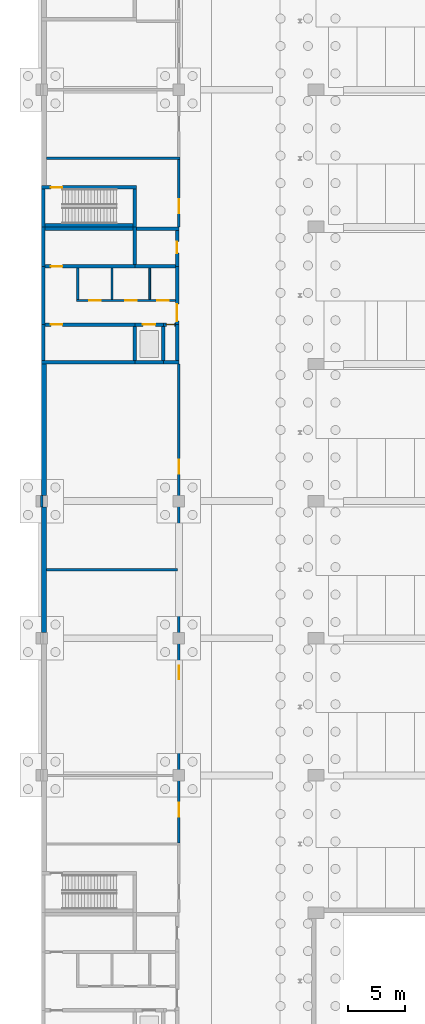
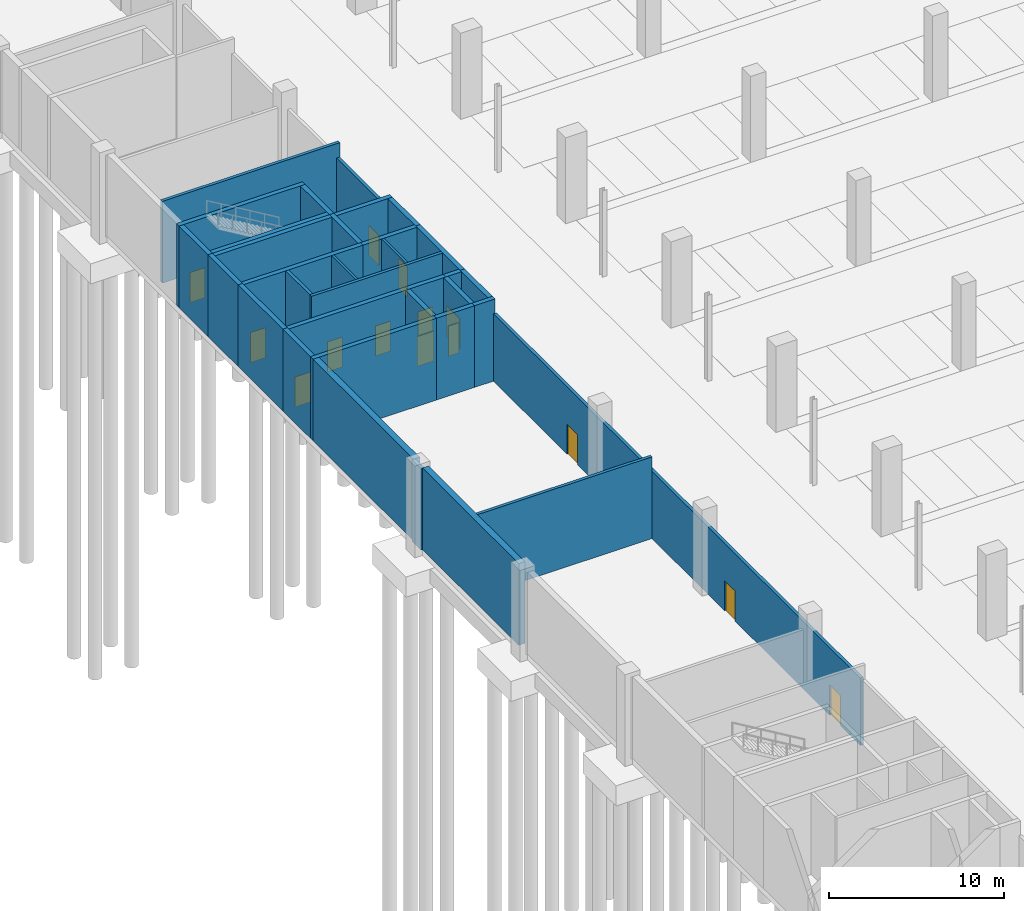
# One storey, part 19 of 34: 34 walls, 14 doors, 14 openings.
"""IFC4 building model written with IfcOpenShell, lengths in metres."""

from ifc_helpers import new_model, si_unit, direction, frame, frame_2d, origin, place, context, subcontext, project, spatial, rectangle, extrude, material, layer, layer_set, type_object, element, fill, save


model = new_model("IFC4")

# Units and contexts
model_context = context("Model", 3, precision=1e-05, world=origin(), true_north=direction((0.0, 1.0)))
body_context = subcontext(model_context, "Body", "Model", "MODEL_VIEW")
ifc_project = project(units=[si_unit("LENGTHUNIT", "METRE"), si_unit("AREAUNIT", "SQUARE_METRE"), si_unit("VOLUMEUNIT", "CUBIC_METRE"), si_unit("PLANEANGLEUNIT", "RADIAN"), si_unit("MASSUNIT", "GRAM", prefix="KILO")], contexts=[model_context])

# Site, building, storey
site_placement = place(None, origin())
site = spatial("IfcSite", under=ifc_project, at=site_placement, CompositionType="ELEMENT")
building_placement = place(site_placement, origin())
building = spatial("IfcBuilding", under=site, at=building_placement, Name="Lilac Gate Convention Centre", CompositionType="ELEMENT")
storey_placement = place(building_placement, frame((0.0, 0.0, -6.0)))
storey = spatial("IfcBuildingStorey", under=building, at=storey_placement, Name="B1", CompositionType="ELEMENT", Elevation=-6.0)

# Walls
ifc_material_1 = material(Name="Concrete C35", Category="concrete")
ifc_layer_1 = layer(ifc_material_1, 0.39990234375)
ifc_layer_set_1 = layer_set([ifc_layer_1], Name="Concrete C35")
wall_type_1 = type_object("IfcWallType", Name="Basement wall 400 C35", PredefinedType="SOLIDWALL", material=ifc_layer_set_1)
wall_1_placement = place(storey_placement, frame((6.199951171875, 126.5, 0.0), z_axis=(0.0, 0.0, 1.0), x_axis=(0.0, 1.0, 0.0)))
element("IfcWall", 1, at=wall_1_placement, inside=storey, type_object=wall_type_1, Name="SW2 basement wall 10 at 1/A", PredefinedType="SOLIDWALL", context=body_context, shape_type="SweptSolid", body=[
    extrude(rectangle(XDim=11.0, YDim=0.39990234375, at=frame_2d((5.5, 0.0))), origin(), (0.0, 0.0, 1.0), 5.699951171875),
])
wall_2_placement = place(storey_placement, frame((6.199951171875, 138.5, 0.0), z_axis=(0.0, 0.0, 1.0), x_axis=(0.0, 1.0, 0.0)))
element("IfcWall", 2, at=wall_2_placement, inside=storey, type_object=wall_type_1, Name="SW2 basement wall 11 at 1/A", PredefinedType="SOLIDWALL", context=body_context, shape_type="SweptSolid", body=[
    extrude(rectangle(XDim=11.5, YDim=0.39990234375, at=frame_2d((5.75, 0.0))), origin(), (0.0, 0.0, 1.0), 5.699951171875),
])
ifc_material_2 = material(Name="Fire-rated gypsum board on steel stud", Category="steel")
ifc_layer_2 = layer(ifc_material_2, 0.14990234375)
ifc_layer_set_2 = layer_set([ifc_layer_2], Name="Fire-rated gypsum board on steel stud")
wall_type_2 = type_object("IfcWallType", Name="Partition 150 fire-rated gypsum board EI 60", PredefinedType="PARTITIONING", material=ifc_layer_set_2)
for number, where, z_axis, x_axis, name in (
    (3, (12.14990234375, 155.64990234375, 0.0), (0.0, 0.0, 1.0), (0.0, 1.0, 0.0), "Partition 150 fire-rated gypsum board EI 60"),
    (4, (15.449951171875, 155.64990234375, 0.0), (0.0, 0.0, 1.0), (0.0, 1.0, 0.0), "Partition 150 fire-rated gypsum board EI 60"),
):
    element("IfcWall", number, at=place(storey_placement, frame(where, z_axis=z_axis, x_axis=x_axis)), inside=storey, type_object=wall_type_2, Name=name, PredefinedType="PARTITIONING", context=body_context, shape_type="SweptSolid", body=[
        extrude(rectangle(XDim=2.75, YDim=0.14990234375, at=frame_2d((1.375, 0.0))), origin(), (0.0, 0.0, 1.0), 5.699951171875),
    ])
ifc_material_3 = material(Name="Clay brick masonry", Category="masonry")
ifc_layer_3 = layer(ifc_material_3, 0.199951171875)
ifc_layer_set_3 = layer_set([ifc_layer_3], Name="Clay brick masonry")
wall_type_3 = type_object("IfcWallType", Name="Partition 200 brick EI 120", PredefinedType="PARTITIONING", material=ifc_layer_set_3)
wall_3_placement = place(storey_placement, frame((6.39990234375, 132.0, 0.0), z_axis=(0.0, 0.0, 1.0), x_axis=(1.0, 0.0, 0.0)))
element("IfcWall", 5, at=wall_3_placement, inside=storey, type_object=wall_type_3, Name="Partition 200 brick EI 120", PredefinedType="PARTITIONING", context=body_context, shape_type="SweptSolid", body=[
    extrude(rectangle(XDim=11.5, YDim=0.199951171875, at=frame_2d((5.75, 0.0))), origin(), (0.0, 0.0, 1.0), 5.699951171875),
])
wall_4_placement = place(storey_placement, frame((6.39990234375, 168.0, 0.0), z_axis=(0.0, 0.0, 1.0), x_axis=(1.0, 0.0, 0.0)))
element("IfcWall", 6, at=wall_4_placement, inside=storey, type_object=wall_type_3, Name="Partition 200 brick EI 120", PredefinedType="PARTITIONING", context=body_context, shape_type="SweptSolid", body=[
    extrude(rectangle(XDim=11.7001953125, YDim=0.199951171875, at=frame_2d((5.85009765625, 0.0))), origin(), (0.0, 0.0, 1.0), 5.699951171875),
])
wall_5_placement = place(storey_placement, frame((6.0, 137.5, 0.0), z_axis=(0.0, 0.0, 1.0), x_axis=(0.0, 1.0, 0.0)))
element("IfcWall", 7, at=wall_5_placement, inside=storey, type_object=wall_type_3, Name="Partition 200 brick EI 120", PredefinedType="PARTITIONING", context=body_context, shape_type="SweptSolid", body=[
    extrude(rectangle(XDim=1.0, YDim=0.199951171875, at=frame_2d((0.5, 0.0))), origin(), (0.0, 0.0, 1.0), 5.699951171875),
])

# Wall, openings, doors
wall_6_placement = place(storey_placement, frame((18.0, 108.10009765625, 0.0), z_axis=(0.0, 0.0, 1.0), x_axis=(0.0, 1.0, 0.0)))
wall_6 = element("IfcWall", 8, at=wall_6_placement, inside=storey, type_object=wall_type_3, Name="Partition 200 brick EI 120", PredefinedType="PARTITIONING", context=body_context, shape_type="SweptSolid", body=[
    extrude(rectangle(XDim=41.89990234375, YDim=0.199951171875, at=frame_2d((20.949951171875, 0.0))), origin(), (0.0, 0.0, 1.0), 4.699951171875),
])
opening_1_placement = place(wall_6_placement, frame((2.300048828125, 0.0, 0.0)))
opening_1 = element("IfcOpeningElement", 9, at=opening_1_placement, cuts=wall_6, Name="Opening B1-032", PredefinedType="OPENING", context=body_context, shape_type="SweptSolid", body=[
    extrude(rectangle(XDim=1.199951171875, YDim=2.10009765625, at=frame_2d((0.60009765625, 1.050048828125))), frame((0.0, 0.10986328125, 0.0), z_axis=(0.0, -1.0, 0.0), x_axis=(1.0, 0.0, 0.0)), (0.0, 0.0, 1.0), 0.219970703125),
])
opening_2_placement = place(wall_6_placement, frame((14.300048828125, 0.0, 0.0)))
opening_2 = element("IfcOpeningElement", 10, at=opening_2_placement, cuts=wall_6, Name="Opening B1-036", PredefinedType="OPENING", context=body_context, shape_type="SweptSolid", body=[
    extrude(rectangle(XDim=1.199951171875, YDim=2.10009765625, at=frame_2d((0.60009765625, 1.050048828125))), frame((0.0, 0.10986328125, 0.0), z_axis=(0.0, -1.0, 0.0), x_axis=(1.0, 0.0, 0.0)), (0.0, 0.0, 1.0), 0.219970703125),
])
opening_3_placement = place(wall_6_placement, frame((32.300048828125, 0.0, 0.0)))
opening_3 = element("IfcOpeningElement", 11, at=opening_3_placement, cuts=wall_6, Name="Opening B1-038", PredefinedType="OPENING", context=body_context, shape_type="SweptSolid", body=[
    extrude(rectangle(XDim=1.199951171875, YDim=2.10009765625, at=frame_2d((0.60009765625, 1.050048828125))), frame((0.0, 0.10986328125, 0.0), z_axis=(0.0, -1.0, 0.0), x_axis=(1.0, 0.0, 0.0)), (0.0, 0.0, 1.0), 0.219970703125),
])
ifc_material_4 = material(Name="Timber fire door leaf", Category="wood")
door_type_1 = type_object("IfcDoorType", Name="Door 1200 x 2100 single leaf FD30", OperationType="SINGLE_SWING_LEFT", PredefinedType="DOOR", material=ifc_material_4)
door_1_placement = place(opening_2_placement, origin())
door_1 = element("IfcDoor", 12, at=door_1_placement, inside=storey, type_object=door_type_1, Name="Plant room door B1-036", OperationType="SINGLE_SWING_LEFT", OverallHeight=2.10009765625, OverallWidth=1.199951171875, PredefinedType="DOOR", context=body_context, shape_type="SweptSolid", body=[
    extrude(rectangle(XDim=1.199951171875, YDim=2.10009765625, at=frame_2d((0.60009765625, 1.050048828125))), frame((0.0, 0.02490234375, 0.0), z_axis=(0.0, -1.0, 0.0), x_axis=(1.0, 0.0, 0.0)), (0.0, 0.0, 1.0), 0.050048828125),
])
fill(opening_2, door_1)
ifc_material_5 = material(Name="Steel Q235B", Category="steel")
door_type_2 = type_object("IfcDoorType", Name="Door 1200 x 2100 single leaf FD90", OperationType="SINGLE_SWING_LEFT", PredefinedType="DOOR", material=ifc_material_5)
door_2_placement = place(opening_1_placement, origin())
door_2 = element("IfcDoor", 13, at=door_2_placement, inside=storey, type_object=door_type_2, Name="Plant room door B1-032", OperationType="SINGLE_SWING_LEFT", OverallHeight=2.10009765625, OverallWidth=1.199951171875, PredefinedType="DOOR", context=body_context, shape_type="SweptSolid", body=[
    extrude(rectangle(XDim=1.199951171875, YDim=2.10009765625, at=frame_2d((0.60009765625, 1.050048828125))), frame((0.0, 0.02490234375, 0.0), z_axis=(0.0, -1.0, 0.0), x_axis=(1.0, 0.0, 0.0)), (0.0, 0.0, 1.0), 0.050048828125),
])
fill(opening_1, door_2)
door_3_placement = place(opening_3_placement, origin())
door_3 = element("IfcDoor", 14, at=door_3_placement, inside=storey, type_object=door_type_2, Name="Plant room door B1-038", OperationType="SINGLE_SWING_LEFT", OverallHeight=2.10009765625, OverallWidth=1.199951171875, PredefinedType="DOOR", context=body_context, shape_type="SweptSolid", body=[
    extrude(rectangle(XDim=1.199951171875, YDim=2.10009765625, at=frame_2d((0.60009765625, 1.050048828125))), frame((0.0, 0.02490234375, 0.0), z_axis=(0.0, -1.0, 0.0), x_axis=(1.0, 0.0, 0.0)), (0.0, 0.0, 1.0), 0.050048828125),
])
fill(opening_3, door_3)

ifc_layer_4 = layer(ifc_material_3, 0.199951171875)
ifc_layer_set_4 = layer_set([ifc_layer_4], Name="Clay brick masonry")
wall_type_4 = type_object("IfcWallType", Name="Partition 200 brick EI 60", PredefinedType="PARTITIONING", material=ifc_layer_set_4)
wall_7_placement = place(storey_placement, frame((9.050048828125, 155.550048828125, 0.0), z_axis=(0.0, 0.0, 1.0), x_axis=(1.0, 0.0, 0.0)))
wall_7 = element("IfcWall", 15, at=wall_7_placement, inside=storey, type_object=wall_type_4, Name="Partition 200 brick EI 60", PredefinedType="PARTITIONING", context=body_context, shape_type="SweptSolid", body=[
    extrude(rectangle(XDim=8.64990234375, YDim=0.199951171875, at=frame_2d((4.324951171875, 0.0))), origin(), (0.0, 0.0, 1.0), 5.699951171875),
])
opening_4_placement = place(wall_7_placement, frame((1.10009765625, 0.0, 0.0)))
opening_4 = element("IfcOpeningElement", 16, at=opening_4_placement, cuts=wall_7, Name="Opening B1-045", PredefinedType="OPENING", context=body_context, shape_type="SweptSolid", body=[
    extrude(rectangle(XDim=1.0, YDim=2.10009765625, at=frame_2d((0.5, 1.050048828125))), frame((0.0, 0.10986328125, 0.0), z_axis=(0.0, -1.0, 0.0), x_axis=(1.0, 0.0, 0.0)), (0.0, 0.0, 1.0), 0.219970703125),
])
opening_5_placement = place(wall_7_placement, frame((4.25, 0.0, 0.0)))
opening_5 = element("IfcOpeningElement", 17, at=opening_5_placement, cuts=wall_7, Name="Opening B1-046", PredefinedType="OPENING", context=body_context, shape_type="SweptSolid", body=[
    extrude(rectangle(XDim=1.0, YDim=2.10009765625, at=frame_2d((0.5, 1.050048828125))), frame((0.0, 0.10986328125, 0.0), z_axis=(0.0, -1.0, 0.0), x_axis=(1.0, 0.0, 0.0)), (0.0, 0.0, 1.0), 0.219970703125),
])
opening_6_placement = place(wall_7_placement, frame((7.050048828125, 0.0, 0.0)))
opening_6 = element("IfcOpeningElement", 18, at=opening_6_placement, cuts=wall_7, Name="Opening B1-047", PredefinedType="OPENING", context=body_context, shape_type="SweptSolid", body=[
    extrude(rectangle(XDim=1.0, YDim=2.10009765625, at=frame_2d((0.5, 1.050048828125))), frame((0.0, 0.10986328125, 0.0), z_axis=(0.0, -1.0, 0.0), x_axis=(1.0, 0.0, 0.0)), (0.0, 0.0, 1.0), 0.219970703125),
])
door_type_3 = type_object("IfcDoorType", Name="Door 1000 x 2100 single leaf FD30", OperationType="SINGLE_SWING_LEFT", PredefinedType="DOOR", material=ifc_material_4)
door_4_placement = place(opening_4_placement, origin())
door_4 = element("IfcDoor", 19, at=door_4_placement, inside=storey, type_object=door_type_3, Name="WC door B1-045", OperationType="SINGLE_SWING_RIGHT", OverallHeight=2.10009765625, OverallWidth=1.0, PredefinedType="DOOR", context=body_context, shape_type="SweptSolid", body=[
    extrude(rectangle(XDim=1.0, YDim=2.10009765625, at=frame_2d((0.5, 1.050048828125))), frame((0.0, 0.02490234375, 0.0), z_axis=(0.0, -1.0, 0.0), x_axis=(1.0, 0.0, 0.0)), (0.0, 0.0, 1.0), 0.050048828125),
])
fill(opening_4, door_4)
door_5_placement = place(opening_5_placement, origin())
door_5 = element("IfcDoor", 20, at=door_5_placement, inside=storey, type_object=door_type_3, Name="WC door B1-046", OperationType="SINGLE_SWING_LEFT", OverallHeight=2.10009765625, OverallWidth=1.0, PredefinedType="DOOR", context=body_context, shape_type="SweptSolid", body=[
    extrude(rectangle(XDim=1.0, YDim=2.10009765625, at=frame_2d((0.5, 1.050048828125))), frame((0.0, 0.02490234375, 0.0), z_axis=(0.0, -1.0, 0.0), x_axis=(1.0, 0.0, 0.0)), (0.0, 0.0, 1.0), 0.050048828125),
])
fill(opening_5, door_5)
door_6_placement = place(opening_6_placement, origin())
door_6 = element("IfcDoor", 21, at=door_6_placement, inside=storey, type_object=door_type_3, Name="Accessible WC door B1-047", OperationType="SINGLE_SWING_LEFT", OverallHeight=2.10009765625, OverallWidth=1.0, PredefinedType="DOOR", context=body_context, shape_type="SweptSolid", body=[
    extrude(rectangle(XDim=1.0, YDim=2.10009765625, at=frame_2d((0.5, 1.050048828125))), frame((0.0, 0.02490234375, 0.0), z_axis=(0.0, -1.0, 0.0), x_axis=(1.0, 0.0, 0.0)), (0.0, 0.0, 1.0), 0.050048828125),
])
fill(opening_6, door_6)

# Wall
wall_8_placement = place(storey_placement, frame((9.14990234375, 155.64990234375, 0.0), z_axis=(0.0, 0.0, 1.0), x_axis=(0.0, 1.0, 0.0)))
element("IfcWall", 22, at=wall_8_placement, inside=storey, type_object=wall_type_4, Name="Partition 200 brick EI 60", PredefinedType="PARTITIONING", context=body_context, shape_type="SweptSolid", body=[
    extrude(rectangle(XDim=2.75, YDim=0.199951171875, at=frame_2d((1.375, 0.0))), origin(), (0.0, 0.0, 1.0), 5.699951171875),
])

# Wall, opening, door
wall_9_placement = place(storey_placement, frame((18.0, 162.0, 0.0), z_axis=(0.0, 0.0, 1.0), x_axis=(0.0, 1.0, 0.0)))
wall_9 = element("IfcWall", 23, at=wall_9_placement, inside=storey, type_object=wall_type_4, Name="Partition 200 brick EI 60", PredefinedType="PARTITIONING", context=body_context, shape_type="SweptSolid", body=[
    extrude(rectangle(XDim=5.89990234375, YDim=0.199951171875, at=frame_2d((2.949951171875, 0.0))), origin(), (0.0, 0.0, 1.0), 4.699951171875),
])
opening_7_placement = place(wall_9_placement, frame((1.199951171875, 0.0, 0.0)))
opening_7 = element("IfcOpeningElement", 24, at=opening_7_placement, cuts=wall_9, Name="Opening B1-055", PredefinedType="OPENING", context=body_context, shape_type="SweptSolid", body=[
    extrude(rectangle(XDim=1.199951171875, YDim=2.10009765625, at=frame_2d((0.60009765625, 1.050048828125))), frame((0.0, 0.10986328125, 0.0), z_axis=(0.0, -1.0, 0.0), x_axis=(1.0, 0.0, 0.0)), (0.0, 0.0, 1.0), 0.219970703125),
])
door_type_4 = type_object("IfcDoorType", Name="Door 1200 x 2100 single leaf FD60", OperationType="SINGLE_SWING_LEFT", PredefinedType="DOOR", material=ifc_material_4)
door_7_placement = place(opening_7_placement, origin())
door_7 = element("IfcDoor", 25, at=door_7_placement, inside=storey, type_object=door_type_4, Name="Lobby door B1-055", OperationType="SINGLE_SWING_RIGHT", OverallHeight=2.10009765625, OverallWidth=1.199951171875, PredefinedType="DOOR", context=body_context, shape_type="SweptSolid", body=[
    extrude(rectangle(XDim=1.199951171875, YDim=2.10009765625, at=frame_2d((0.60009765625, 1.050048828125))), frame((0.0, 0.02490234375, 0.0), z_axis=(0.0, -1.0, 0.0), x_axis=(1.0, 0.0, 0.0)), (0.0, 0.0, 1.0), 0.050048828125),
])
fill(opening_7, door_7)

# Wall
ifc_material_6 = material(Name="Concrete C40", Category="concrete")
ifc_layer_5 = layer(ifc_material_6, 0.300048828125)
ifc_layer_set_5 = layer_set([ifc_layer_5], Name="Concrete C40")
wall_type_5 = type_object("IfcWallType", Name="Shear wall 300 C40", PredefinedType="SHEAR", material=ifc_layer_set_5)
wall_10_placement = place(storey_placement, frame((6.0, 162.14990234375, 0.0), z_axis=(0.0, 0.0, 1.0), x_axis=(1.0, 0.0, 0.0)))
element("IfcWall", 26, at=wall_10_placement, inside=storey, type_object=wall_type_5, Name="SW1 shear wall BW3 B1 1", PredefinedType="SHEAR", context=body_context, shape_type="SweptSolid", body=[
    extrude(rectangle(XDim=8.300048828125, YDim=0.300048828125, at=frame_2d((4.14990234375, 0.0))), origin(), (0.0, 0.0, 1.0), 5.699951171875),
])

# Wall, opening, door
wall_11_placement = place(storey_placement, frame((6.0, 165.449951171875, 0.0), z_axis=(0.0, 0.0, 1.0), x_axis=(1.0, 0.0, 0.0)))
wall_11 = element("IfcWall", 27, at=wall_11_placement, inside=storey, type_object=wall_type_5, Name="SW1 shear wall BW3 B1 2", PredefinedType="SHEAR", context=body_context, shape_type="SweptSolid", body=[
    extrude(rectangle(XDim=8.300048828125, YDim=0.300048828125, at=frame_2d((4.14990234375, 0.0))), origin(), (0.0, 0.0, 1.0), 5.699951171875),
])
opening_8_placement = place(wall_11_placement, frame((0.800048828125, 0.0, 0.0)))
opening_8 = element("IfcOpeningElement", 28, at=opening_8_placement, cuts=wall_11, Name="Opening B1-057", PredefinedType="OPENING", context=body_context, shape_type="SweptSolid", body=[
    extrude(rectangle(XDim=1.0, YDim=2.10009765625, at=frame_2d((0.5, 1.050048828125))), frame((0.0, 0.159912109375, 0.0), z_axis=(0.0, -1.0, 0.0), x_axis=(1.0, 0.0, 0.0)), (0.0, 0.0, 1.0), 0.320068359375),
])
door_type_5 = type_object("IfcDoorType", Name="Door 1000 x 2100 single leaf FD60", OperationType="SINGLE_SWING_LEFT", PredefinedType="DOOR", material=ifc_material_4)
door_8_placement = place(opening_8_placement, frame((1.0, 0.0, 0.0), z_axis=(0.0, 0.0, 1.0), x_axis=(-1.0, 0.0, 0.0)))
door_8 = element("IfcDoor", 29, at=door_8_placement, inside=storey, type_object=door_type_5, Name="Stair door B1-057", OperationType="SINGLE_SWING_LEFT", OverallHeight=2.10009765625, OverallWidth=1.0, PredefinedType="DOOR", context=body_context, shape_type="SweptSolid", body=[
    extrude(rectangle(XDim=1.0, YDim=2.10009765625, at=frame_2d((0.5, 1.050048828125))), frame((0.0, 0.02490234375, 0.0), z_axis=(0.0, -1.0, 0.0), x_axis=(1.0, 0.0, 0.0)), (0.0, 0.0, 1.0), 0.050048828125),
])
fill(opening_8, door_8)

# Walls
for number, where, z_axis, x_axis, name in (
    (30, (6.14990234375, 162.0, 0.0), (0.0, 0.0, 1.0), (0.0, 1.0, 0.0), "SW1 shear wall BW3 B1 3"),
    (31, (14.14990234375, 162.0, 0.0), (0.0, 0.0, 1.0), (0.0, 1.0, 0.0), "SW1 shear wall BW3 B1 4"),
):
    element("IfcWall", number, at=place(storey_placement, frame(where, z_axis=z_axis, x_axis=x_axis)), inside=storey, type_object=wall_type_5, Name=name, PredefinedType="SHEAR", context=body_context, shape_type="SweptSolid", body=[
        extrude(rectangle(XDim=3.300048828125, YDim=0.300048828125, at=frame_2d((1.64990234375, 0.0))), origin(), (0.0, 0.0, 1.0), 5.699951171875),
    ])
wall_12_placement = place(storey_placement, frame((6.0, 150.14990234375, 0.0), z_axis=(0.0, 0.0, 1.0), x_axis=(1.0, 0.0, 0.0)))
element("IfcWall", 32, at=wall_12_placement, inside=storey, type_object=wall_type_5, Name="SW1 shear wall W3 B1 1", PredefinedType="SHEAR", context=body_context, shape_type="SweptSolid", body=[
    extrude(rectangle(XDim=8.14990234375, YDim=0.300048828125, at=frame_2d((4.074951171875, 0.0))), origin(), (0.0, 0.0, 1.0), 5.699951171875),
])
wall_13_placement = place(storey_placement, frame((14.14990234375, 150.14990234375, 0.0), z_axis=(0.0, 0.0, 1.0), x_axis=(1.0, 0.0, 0.0)))
element("IfcWall", 33, at=wall_13_placement, inside=storey, type_object=wall_type_5, Name="SW1 shear wall W3 B1 2", PredefinedType="SHEAR", context=body_context, shape_type="SweptSolid", body=[
    extrude(rectangle(XDim=2.5, YDim=0.300048828125, at=frame_2d((1.25, 0.0))), origin(), (0.0, 0.0, 1.0), 5.699951171875),
])
wall_14_placement = place(storey_placement, frame((16.64990234375, 150.14990234375, 0.0), z_axis=(0.0, 0.0, 1.0), x_axis=(1.0, 0.0, 0.0)))
element("IfcWall", 34, at=wall_14_placement, inside=storey, type_object=wall_type_5, Name="SW1 shear wall W3 B1 3", PredefinedType="SHEAR", context=body_context, shape_type="SweptSolid", body=[
    extrude(rectangle(XDim=1.35009765625, YDim=0.300048828125, at=frame_2d((0.675048828125, 0.0))), origin(), (0.0, 0.0, 1.0), 5.699951171875),
])
wall_15_placement = place(storey_placement, frame((6.0, 161.85009765625, 0.0), z_axis=(0.0, 0.0, 1.0), x_axis=(1.0, 0.0, 0.0)))
element("IfcWall", 35, at=wall_15_placement, inside=storey, type_object=wall_type_5, Name="SW1 shear wall W3 B1 4", PredefinedType="SHEAR", context=body_context, shape_type="SweptSolid", body=[
    extrude(rectangle(XDim=8.14990234375, YDim=0.300048828125, at=frame_2d((4.074951171875, 0.0))), origin(), (0.0, 0.0, 1.0), 5.699951171875),
])
wall_16_placement = place(storey_placement, frame((14.14990234375, 161.85009765625, 0.0), z_axis=(0.0, 0.0, 1.0), x_axis=(1.0, 0.0, 0.0)))
element("IfcWall", 36, at=wall_16_placement, inside=storey, type_object=wall_type_5, Name="SW1 shear wall W3 B1 5", PredefinedType="SHEAR", context=body_context, shape_type="SweptSolid", body=[
    extrude(rectangle(XDim=3.85009765625, YDim=0.300048828125, at=frame_2d((1.925048828125, 0.0))), origin(), (0.0, 0.0, 1.0), 5.699951171875),
])

# Wall, opening, door
wall_17_placement = place(storey_placement, frame((6.0, 153.449951171875, 0.0), z_axis=(0.0, 0.0, 1.0), x_axis=(1.0, 0.0, 0.0)))
wall_17 = element("IfcWall", 37, at=wall_17_placement, inside=storey, type_object=wall_type_5, Name="SW1 shear wall W3 B1 6", PredefinedType="SHEAR", context=body_context, shape_type="SweptSolid", body=[
    extrude(rectangle(XDim=8.14990234375, YDim=0.300048828125, at=frame_2d((4.074951171875, 0.0))), origin(), (0.0, 0.0, 1.0), 5.699951171875),
])
opening_9_placement = place(wall_17_placement, frame((0.800048828125, 0.0, 0.0)))
opening_9 = element("IfcOpeningElement", 38, at=opening_9_placement, cuts=wall_17, Name="Opening B1-039", PredefinedType="OPENING", context=body_context, shape_type="SweptSolid", body=[
    extrude(rectangle(XDim=1.0, YDim=2.10009765625, at=frame_2d((0.5, 1.050048828125))), frame((0.0, 0.159912109375, 0.0), z_axis=(0.0, -1.0, 0.0), x_axis=(1.0, 0.0, 0.0)), (0.0, 0.0, 1.0), 0.320068359375),
])
door_9_placement = place(opening_9_placement, frame((1.0, 0.0, 0.0), z_axis=(0.0, 0.0, 1.0), x_axis=(-1.0, 0.0, 0.0)))
door_9 = element("IfcDoor", 39, at=door_9_placement, inside=storey, type_object=door_type_5, Name="Store door B1-039", OperationType="SINGLE_SWING_LEFT", OverallHeight=2.10009765625, OverallWidth=1.0, PredefinedType="DOOR", context=body_context, shape_type="SweptSolid", body=[
    extrude(rectangle(XDim=1.0, YDim=2.10009765625, at=frame_2d((0.5, 1.050048828125))), frame((0.0, 0.02490234375, 0.0), z_axis=(0.0, -1.0, 0.0), x_axis=(1.0, 0.0, 0.0)), (0.0, 0.0, 1.0), 0.050048828125),
])
fill(opening_9, door_9)

wall_18_placement = place(storey_placement, frame((14.14990234375, 153.449951171875, 0.0), z_axis=(0.0, 0.0, 1.0), x_axis=(1.0, 0.0, 0.0)))
wall_18 = element("IfcWall", 40, at=wall_18_placement, inside=storey, type_object=wall_type_5, Name="SW1 shear wall W3 B1 7", PredefinedType="SHEAR", context=body_context, shape_type="SweptSolid", body=[
    extrude(rectangle(XDim=2.5, YDim=0.300048828125, at=frame_2d((1.25, 0.0))), origin(), (0.0, 0.0, 1.0), 5.699951171875),
])
opening_10_placement = place(wall_18_placement, frame((0.699951171875, 0.0, 0.0)))
opening_10 = element("IfcOpeningElement", 41, at=opening_10_placement, cuts=wall_18, Name="Opening LDW3-B1", PredefinedType="OPENING", context=body_context, shape_type="SweptSolid", body=[
    extrude(rectangle(XDim=1.10009765625, YDim=2.10009765625, at=frame_2d((0.550048828125, 1.050048828125))), frame((0.0, 0.159912109375, 0.0), z_axis=(0.0, -1.0, 0.0), x_axis=(1.0, 0.0, 0.0)), (0.0, 0.0, 1.0), 0.320068359375),
])
ifc_material_7 = material(Name="Stainless steel 304", Category="steel")
door_type_6 = type_object("IfcDoorType", Name="Lift landing door 1100 x 2100", OperationType="SLIDING_TO_LEFT", PredefinedType="DOOR", material=ifc_material_7)
door_10_placement = place(opening_10_placement, origin())
door_10 = element("IfcDoor", 42, at=door_10_placement, inside=storey, type_object=door_type_6, Name="Lift landing door LDW3-B1", OperationType="SLIDING_TO_LEFT", OverallHeight=2.10009765625, OverallWidth=1.10009765625, PredefinedType="DOOR", context=body_context, shape_type="SweptSolid", body=[
    extrude(rectangle(XDim=1.10009765625, YDim=2.10009765625, at=frame_2d((0.550048828125, 1.050048828125))), frame((0.0, 0.02490234375, 0.0), z_axis=(0.0, -1.0, 0.0), x_axis=(1.0, 0.0, 0.0)), (0.0, 0.0, 1.0), 0.050048828125),
])
fill(opening_10, door_10)

wall_19_placement = place(storey_placement, frame((16.64990234375, 153.449951171875, 0.0), z_axis=(0.0, 0.0, 1.0), x_axis=(1.0, 0.0, 0.0)))
wall_19 = element("IfcWall", 43, at=wall_19_placement, inside=storey, type_object=wall_type_5, Name="SW1 shear wall W3 B1 8", PredefinedType="SHEAR", context=body_context, shape_type="SweptSolid", body=[
    extrude(rectangle(XDim=1.050048828125, YDim=0.300048828125, at=frame_2d((0.52490234375, 0.0))), origin(), (0.0, 0.0, 1.0), 5.699951171875),
])
opening_11_placement = place(wall_19_placement, frame((0.25, 0.0, 0.0)))
opening_11 = element("IfcOpeningElement", 44, at=opening_11_placement, cuts=wall_19, Name="Opening B1-040", PredefinedType="OPENING", context=body_context, shape_type="SweptSolid", body=[
    extrude(rectangle(XDim=0.699951171875, YDim=2.10009765625, at=frame_2d((0.35009765625, 1.050048828125))), frame((0.0, 0.159912109375, 0.0), z_axis=(0.0, -1.0, 0.0), x_axis=(1.0, 0.0, 0.0)), (0.0, 0.0, 1.0), 0.320068359375),
])
door_type_7 = type_object("IfcDoorType", Name="Door 700 x 2100 single leaf FD30", OperationType="SINGLE_SWING_LEFT", PredefinedType="DOOR", material=ifc_material_4)
door_11_placement = place(opening_11_placement, frame((0.699951171875, 0.0, 0.0), z_axis=(0.0, 0.0, 1.0), x_axis=(-1.0, 0.0, 0.0)))
door_11 = element("IfcDoor", 45, at=door_11_placement, inside=storey, type_object=door_type_7, Name="Riser access door B1-040", OperationType="SINGLE_SWING_LEFT", OverallHeight=2.10009765625, OverallWidth=0.699951171875, PredefinedType="DOOR", context=body_context, shape_type="SweptSolid", body=[
    extrude(rectangle(XDim=0.699951171875, YDim=2.10009765625, at=frame_2d((0.35009765625, 1.050048828125))), frame((0.0, 0.02490234375, 0.0), z_axis=(0.0, -1.0, 0.0), x_axis=(1.0, 0.0, 0.0)), (0.0, 0.0, 1.0), 0.050048828125),
])
fill(opening_11, door_11)

wall_20_placement = place(storey_placement, frame((6.0, 158.550048828125, 0.0), z_axis=(0.0, 0.0, 1.0), x_axis=(1.0, 0.0, 0.0)))
wall_20 = element("IfcWall", 46, at=wall_20_placement, inside=storey, type_object=wall_type_5, Name="SW1 shear wall W3 B1 9", PredefinedType="SHEAR", context=body_context, shape_type="SweptSolid", body=[
    extrude(rectangle(XDim=8.14990234375, YDim=0.300048828125, at=frame_2d((4.074951171875, 0.0))), origin(), (0.0, 0.0, 1.0), 5.699951171875),
])
opening_12_placement = place(wall_20_placement, frame((0.800048828125, 0.0, 0.0)))
opening_12 = element("IfcOpeningElement", 47, at=opening_12_placement, cuts=wall_20, Name="Opening B1-051", PredefinedType="OPENING", context=body_context, shape_type="SweptSolid", body=[
    extrude(rectangle(XDim=1.0, YDim=2.10009765625, at=frame_2d((0.5, 1.050048828125))), frame((0.0, 0.159912109375, 0.0), z_axis=(0.0, -1.0, 0.0), x_axis=(1.0, 0.0, 0.0)), (0.0, 0.0, 1.0), 0.320068359375),
])
door_12_placement = place(opening_12_placement, origin())
door_12 = element("IfcDoor", 48, at=door_12_placement, inside=storey, type_object=door_type_5, Name="Store door B1-051", OperationType="SINGLE_SWING_RIGHT", OverallHeight=2.10009765625, OverallWidth=1.0, PredefinedType="DOOR", context=body_context, shape_type="SweptSolid", body=[
    extrude(rectangle(XDim=1.0, YDim=2.10009765625, at=frame_2d((0.5, 1.050048828125))), frame((0.0, 0.02490234375, 0.0), z_axis=(0.0, -1.0, 0.0), x_axis=(1.0, 0.0, 0.0)), (0.0, 0.0, 1.0), 0.050048828125),
])
fill(opening_12, door_12)

# Walls
wall_21_placement = place(storey_placement, frame((14.14990234375, 158.550048828125, 0.0), z_axis=(0.0, 0.0, 1.0), x_axis=(1.0, 0.0, 0.0)))
element("IfcWall", 49, at=wall_21_placement, inside=storey, type_object=wall_type_5, Name="SW1 shear wall W3 B1 10", PredefinedType="SHEAR", context=body_context, shape_type="SweptSolid", body=[
    extrude(rectangle(XDim=3.550048828125, YDim=0.300048828125, at=frame_2d((1.77490234375, 0.0))), origin(), (0.0, 0.0, 1.0), 5.699951171875),
])
wall_22_placement = place(storey_placement, frame((6.14990234375, 150.300048828125, 0.0), z_axis=(0.0, 0.0, 1.0), x_axis=(0.0, 1.0, 0.0)))
element("IfcWall", 50, at=wall_22_placement, inside=storey, type_object=wall_type_5, Name="SW1 shear wall W3 B1 11", PredefinedType="SHEAR", context=body_context, shape_type="SweptSolid", body=[
    extrude(rectangle(XDim=3.14990234375, YDim=0.300048828125, at=frame_2d((1.574951171875, 0.0))), origin(), (0.0, 0.0, 1.0), 5.699951171875),
])
wall_23_placement = place(storey_placement, frame((6.14990234375, 153.449951171875, 0.0), z_axis=(0.0, 0.0, 1.0), x_axis=(0.0, 1.0, 0.0)))
element("IfcWall", 51, at=wall_23_placement, inside=storey, type_object=wall_type_5, Name="SW1 shear wall W3 B1 12", PredefinedType="SHEAR", context=body_context, shape_type="SweptSolid", body=[
    extrude(rectangle(XDim=5.10009765625, YDim=0.300048828125, at=frame_2d((2.550048828125, 0.0))), origin(), (0.0, 0.0, 1.0), 5.699951171875),
])
wall_24_placement = place(storey_placement, frame((6.14990234375, 158.550048828125, 0.0), z_axis=(0.0, 0.0, 1.0), x_axis=(0.0, 1.0, 0.0)))
element("IfcWall", 52, at=wall_24_placement, inside=storey, type_object=wall_type_5, Name="SW1 shear wall W3 B1 13", PredefinedType="SHEAR", context=body_context, shape_type="SweptSolid", body=[
    extrude(rectangle(XDim=3.449951171875, YDim=0.300048828125, at=frame_2d((1.72509765625, 0.0))), origin(), (0.0, 0.0, 1.0), 5.699951171875),
])
wall_25_placement = place(storey_placement, frame((17.85009765625, 150.300048828125, 0.0), z_axis=(0.0, 0.0, 1.0), x_axis=(0.0, 1.0, 0.0)))
element("IfcWall", 53, at=wall_25_placement, inside=storey, type_object=wall_type_5, Name="SW1 shear wall W3 B1 14", PredefinedType="SHEAR", context=body_context, shape_type="SweptSolid", body=[
    extrude(rectangle(XDim=3.14990234375, YDim=0.300048828125, at=frame_2d((1.574951171875, 0.0))), origin(), (0.0, 0.0, 1.0), 5.699951171875),
])

# Wall, opening, door
wall_26_placement = place(storey_placement, frame((17.85009765625, 153.449951171875, 0.0), z_axis=(0.0, 0.0, 1.0), x_axis=(0.0, 1.0, 0.0)))
wall_26 = element("IfcWall", 54, at=wall_26_placement, inside=storey, type_object=wall_type_5, Name="SW1 shear wall W3 B1 15", PredefinedType="SHEAR", context=body_context, shape_type="SweptSolid", body=[
    extrude(rectangle(XDim=5.10009765625, YDim=0.300048828125, at=frame_2d((2.550048828125, 0.0))), origin(), (0.0, 0.0, 1.0), 5.699951171875),
])
opening_13_placement = place(wall_26_placement, frame((0.300048828125, 0.0, 0.0)))
opening_13 = element("IfcOpeningElement", 55, at=opening_13_placement, cuts=wall_26, Name="Opening B1-043", PredefinedType="OPENING", context=body_context, shape_type="SweptSolid", body=[
    extrude(rectangle(XDim=1.5, YDim=2.10009765625, at=frame_2d((0.75, 1.050048828125))), frame((0.0, 0.159912109375, 0.0), z_axis=(0.0, -1.0, 0.0), x_axis=(1.0, 0.0, 0.0)), (0.0, 0.0, 1.0), 0.320068359375),
])
door_type_8 = type_object("IfcDoorType", Name="Door 1500 x 2100 double leaf FD30", OperationType="DOUBLE_DOOR_SINGLE_SWING", PredefinedType="DOOR", material=ifc_material_4)
door_13_placement = place(opening_13_placement, origin())
door_13 = element("IfcDoor", 56, at=door_13_placement, inside=storey, type_object=door_type_8, Name="Lobby door B1-043", OperationType="DOUBLE_DOOR_SINGLE_SWING", OverallHeight=2.10009765625, OverallWidth=1.5, PredefinedType="DOOR", context=body_context, shape_type="SweptSolid", body=[
    extrude(rectangle(XDim=1.5, YDim=2.10009765625, at=frame_2d((0.75, 1.050048828125))), frame((0.0, 0.02490234375, 0.0), z_axis=(0.0, -1.0, 0.0), x_axis=(1.0, 0.0, 0.0)), (0.0, 0.0, 1.0), 0.050048828125),
])
fill(opening_13, door_13)

wall_27_placement = place(storey_placement, frame((17.85009765625, 158.550048828125, 0.0), z_axis=(0.0, 0.0, 1.0), x_axis=(0.0, 1.0, 0.0)))
wall_27 = element("IfcWall", 57, at=wall_27_placement, inside=storey, type_object=wall_type_5, Name="SW1 shear wall W3 B1 16", PredefinedType="SHEAR", context=body_context, shape_type="SweptSolid", body=[
    extrude(rectangle(XDim=3.14990234375, YDim=0.300048828125, at=frame_2d((1.574951171875, 0.0))), origin(), (0.0, 0.0, 1.0), 5.699951171875),
])
opening_14_placement = place(wall_27_placement, frame((1.14990234375, 0.0, 0.0)))
opening_14 = element("IfcOpeningElement", 58, at=opening_14_placement, cuts=wall_27, Name="Opening B1-053", PredefinedType="OPENING", context=body_context, shape_type="SweptSolid", body=[
    extrude(rectangle(XDim=1.0, YDim=2.10009765625, at=frame_2d((0.5, 1.050048828125))), frame((0.0, 0.159912109375, 0.0), z_axis=(0.0, -1.0, 0.0), x_axis=(1.0, 0.0, 0.0)), (0.0, 0.0, 1.0), 0.320068359375),
])
door_14_placement = place(opening_14_placement, origin())
door_14 = element("IfcDoor", 59, at=door_14_placement, inside=storey, type_object=door_type_3, Name="Riser access door B1-053", OperationType="SINGLE_SWING_RIGHT", OverallHeight=2.10009765625, OverallWidth=1.0, PredefinedType="DOOR", context=body_context, shape_type="SweptSolid", body=[
    extrude(rectangle(XDim=1.0, YDim=2.10009765625, at=frame_2d((0.5, 1.050048828125))), frame((0.0, 0.02490234375, 0.0), z_axis=(0.0, -1.0, 0.0), x_axis=(1.0, 0.0, 0.0)), (0.0, 0.0, 1.0), 0.050048828125),
])
fill(opening_14, door_14)

# Walls
wall_28_placement = place(storey_placement, frame((14.14990234375, 150.300048828125, 0.0), z_axis=(0.0, 0.0, 1.0), x_axis=(0.0, 1.0, 0.0)))
element("IfcWall", 60, at=wall_28_placement, inside=storey, type_object=wall_type_5, Name="SW1 shear wall W3 B1 17", PredefinedType="SHEAR", context=body_context, shape_type="SweptSolid", body=[
    extrude(rectangle(XDim=3.0, YDim=0.300048828125, at=frame_2d((1.5, 0.0))), origin(), (0.0, 0.0, 1.0), 5.699951171875),
])
wall_29_placement = place(storey_placement, frame((14.14990234375, 158.699951171875, 0.0), z_axis=(0.0, 0.0, 1.0), x_axis=(0.0, 1.0, 0.0)))
element("IfcWall", 61, at=wall_29_placement, inside=storey, type_object=wall_type_5, Name="SW1 shear wall W3 B1 18", PredefinedType="SHEAR", context=body_context, shape_type="SweptSolid", body=[
    extrude(rectangle(XDim=3.300048828125, YDim=0.300048828125, at=frame_2d((1.64990234375, 0.0))), origin(), (0.0, 0.0, 1.0), 5.699951171875),
])
wall_30_placement = place(storey_placement, frame((16.64990234375, 150.300048828125, 0.0), z_axis=(0.0, 0.0, 1.0), x_axis=(0.0, 1.0, 0.0)))
element("IfcWall", 62, at=wall_30_placement, inside=storey, type_object=wall_type_5, Name="SW1 shear wall W3 B1 19", PredefinedType="SHEAR", context=body_context, shape_type="SweptSolid", body=[
    extrude(rectangle(XDim=3.0, YDim=0.300048828125, at=frame_2d((1.5, 0.0))), origin(), (0.0, 0.0, 1.0), 5.699951171875),
])

save(model, "model.ifc")
